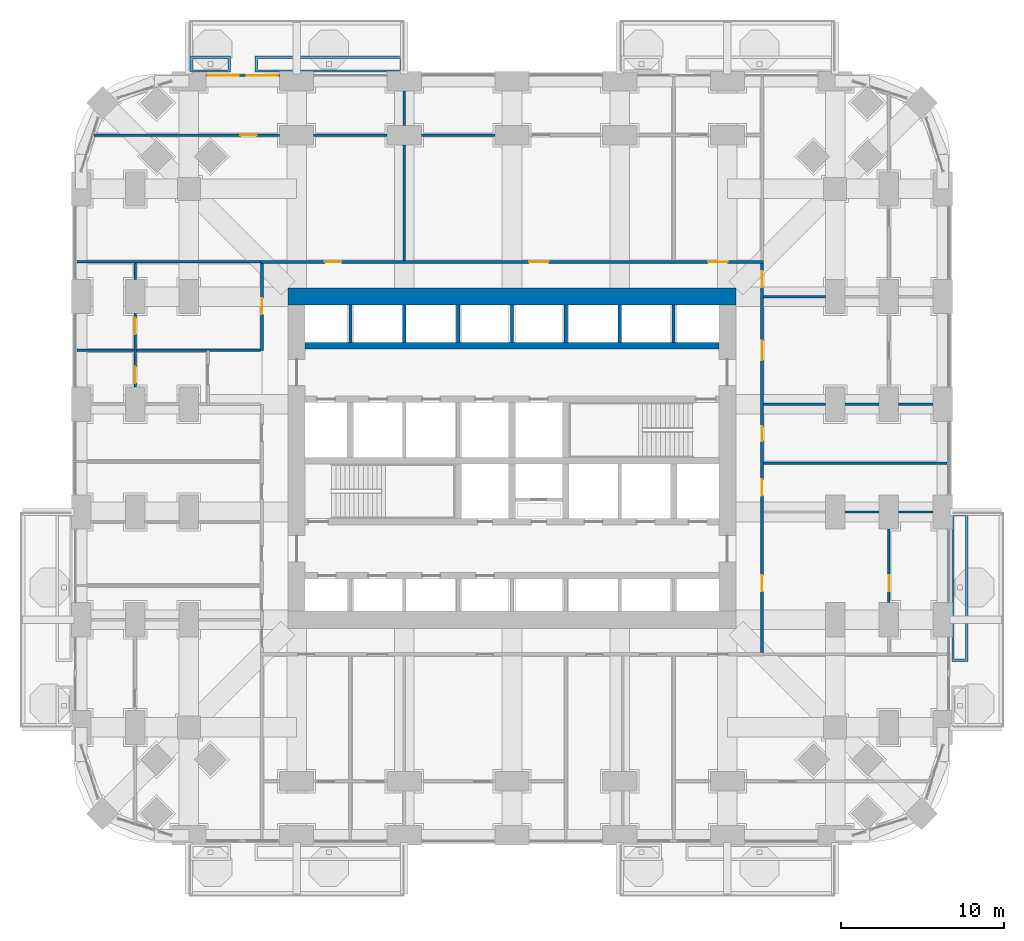
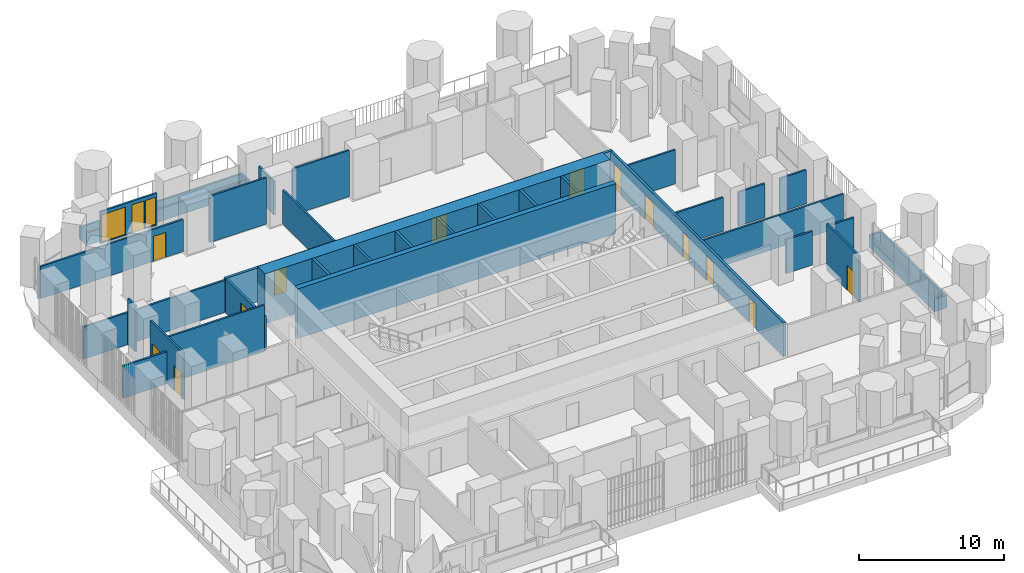
# One storey, part 21 of 27: 34 walls, 14 doors, 2 windows, 16 openings.
"""IFC4 building model written with IfcOpenShell, lengths in metres."""

from ifc_helpers import new_model, si_unit, direction, frame, frame_2d, origin, place, context, subcontext, project, spatial, polyline, rectangle, outline, extrude, material, layer, layer_set, type_object, element, fill, save


model = new_model("IFC4")

# Units and contexts
model_context = context("Model", 3, precision=1e-05, world=origin(), true_north=direction((0.0, 1.0)))
body_context = subcontext(model_context, "Body", "Model", "MODEL_VIEW")
ifc_project = project(units=[si_unit("LENGTHUNIT", "METRE"), si_unit("AREAUNIT", "SQUARE_METRE"), si_unit("VOLUMEUNIT", "CUBIC_METRE"), si_unit("PLANEANGLEUNIT", "RADIAN"), si_unit("MASSUNIT", "GRAM", prefix="KILO")], contexts=[model_context])

# Site, building, storey
site_placement = place(None, origin())
site = spatial("IfcSite", under=ifc_project, at=site_placement, CompositionType="ELEMENT")
building_placement = place(site_placement, origin())
building = spatial("IfcBuilding", under=site, at=building_placement, Name="Cobogo Forest Laboratory Tower", CompositionType="ELEMENT")
storey_placement = place(building_placement, frame((0.0, 0.0, 46.5)))
storey = spatial("IfcBuildingStorey", under=building, at=storey_placement, Name="L10", CompositionType="ELEMENT", Elevation=46.5)

# Walls
ifc_material_1 = material(Name="Concrete HA-50 (C50/60)", Category="concrete")
ifc_layer_1 = layer(ifc_material_1, 0.39990234375)
ifc_layer_set_1 = layer_set([ifc_layer_1], Name="CI400 core inner wall 400")
wall_type_1 = type_object("IfcWallType", Name="CI400 core inner wall 400", PredefinedType="SHEAR", material=ifc_layer_set_1)
wall_1_placement = place(storey_placement, frame((13.72509765625, 30.0, 0.0), z_axis=(0.0, 0.0, 1.0), x_axis=(1.0, 0.0, 0.0)))
element("IfcWall", 1, at=wall_1_placement, inside=storey, type_object=wall_type_1, Name="Core wall CI-30.0 L10", PredefinedType="SHEAR", context=body_context, shape_type="SweptSolid", body=[
    extrude(rectangle(XDim=25.349853515625, YDim=0.39990234375, at=frame_2d((12.6748046875, 0.0))), origin(), (0.0, 0.0, 1.0), 4.199951171875),
])
ifc_layer_2 = layer(ifc_material_1, 1.050048828125)
ifc_layer_set_2 = layer_set([ifc_layer_2], Name="CW1050 core outer wall 1050")
wall_type_2 = type_object("IfcWallType", Name="CW1050 core outer wall 1050", PredefinedType="SHEAR", material=ifc_layer_set_2)
wall_2_placement = place(storey_placement, frame((40.125, 33.0, 0.0), z_axis=(0.0, 0.0, 1.0), x_axis=(-1.0, 0.0, 0.0)))
element("IfcWall", 2, at=wall_2_placement, inside=storey, type_object=wall_type_2, Name="Core wall CO-N L10", PredefinedType="SHEAR", context=body_context, shape_type="SweptSolid", body=[
    extrude(rectangle(XDim=27.449951171875, YDim=1.050048828125, at=frame_2d((13.72509765625, 0.0))), origin(), (0.0, 0.0, 1.0), 4.199951171875),
])

# Wall, openings, door, windows
ifc_material_2 = material(Name="Aluminium framed glazed screen", Category="aluminium")
ifc_layer_3 = layer(ifc_material_2, 0.14990234375)
ifc_layer_set_3 = layer_set([ifc_layer_3], Name="GS1 glazed door screen 150")
wall_type_3 = type_object("IfcWallType", Name="GS1 glazed door screen 150", PredefinedType="SOLIDWALL", material=ifc_layer_set_3)
wall_3_placement = place(storey_placement, frame((12.14990234375, 46.550048828125, 0.0), z_axis=(0.0, 0.0, 1.0), x_axis=(-1.0, 0.0, 0.0)))
wall_3 = element("IfcWall", 3, at=wall_3_placement, inside=storey, type_object=wall_type_3, Name="Door screen BAL-N1 L10", PredefinedType="SOLIDWALL", context=body_context, shape_type="SweptSolid", body=[
    extrude(rectangle(XDim=4.5, YDim=0.14990234375, at=frame_2d((2.25, 0.0))), origin(), (0.0, 0.0, 1.0), 2.699951171875),
])
opening_1_placement = place(wall_3_placement, frame((1.0, 0.0, 0.0)))
opening_1 = element("IfcOpeningElement", 4, at=opening_1_placement, cuts=wall_3, Name="Opening L10-D48", PredefinedType="OPENING", context=body_context, shape_type="SweptSolid", body=[
    extrude(rectangle(XDim=1.0, YDim=2.39990234375, at=frame_2d((0.5, 1.199951171875))), frame((0.0, 0.0849609375, 0.0), z_axis=(0.0, -1.0, 0.0), x_axis=(1.0, 0.0, 0.0)), (0.0, 0.0, 1.0), 0.169921875),
])
opening_2_placement = place(wall_3_placement, frame((0.10009765625, 0.0, 0.10009765625)))
opening_2 = element("IfcOpeningElement", 5, at=opening_2_placement, cuts=wall_3, Name="Opening L10-W10", PredefinedType="OPENING", context=body_context, shape_type="SweptSolid", body=[
    extrude(rectangle(XDim=0.800048828125, YDim=2.300048828125, at=frame_2d((0.39990234375, 1.14990234375))), frame((0.0, 0.0849609375, 0.0), z_axis=(0.0, -1.0, 0.0), x_axis=(1.0, 0.0, 0.0)), (0.0, 0.0, 1.0), 0.169921875),
])
opening_3_placement = place(wall_3_placement, frame((2.5, 0.0, 0.10009765625)))
opening_3 = element("IfcOpeningElement", 6, at=opening_3_placement, cuts=wall_3, Name="Opening L10-W09", PredefinedType="OPENING", context=body_context, shape_type="SweptSolid", body=[
    extrude(rectangle(XDim=1.89990234375, YDim=2.300048828125, at=frame_2d((0.949951171875, 1.14990234375))), frame((0.0, 0.0849609375, 0.0), z_axis=(0.0, -1.0, 0.0), x_axis=(1.0, 0.0, 0.0)), (0.0, 0.0, 1.0), 0.169921875),
])
ifc_material_3 = material(Name="Aluminium glazed door", Category="aluminium")
door_type_1 = type_object("IfcDoorType", Name="DB1 balcony door 1000 glazed", OperationType="SINGLE_SWING_LEFT", PredefinedType="DOOR", material=ifc_material_3)
door_1_placement = place(opening_1_placement, origin())
door_1 = element("IfcDoor", 7, at=door_1_placement, inside=storey, type_object=door_type_1, Name="Door L10-BAL-N1", OperationType="SINGLE_SWING_LEFT", OverallHeight=2.39990234375, OverallWidth=1.0, PredefinedType="DOOR", context=body_context, shape_type="SweptSolid", body=[
    extrude(rectangle(XDim=1.0, YDim=2.39990234375, at=frame_2d((0.5, 1.199951171875))), frame((0.0, 0.02490234375, 0.0), z_axis=(0.0, -1.0, 0.0), x_axis=(1.0, 0.0, 0.0)), (0.0, 0.0, 1.0), 0.050048828125),
])
fill(opening_1, door_1)
ifc_material_4 = material(Name="Aluminium framed glazing", Category="aluminium")
window_type_1 = type_object("IfcWindowType", Name="WG3 fixed glazed light 1900x2300", PartitioningType="SINGLE_PANEL", PredefinedType="WINDOW", material=ifc_material_4)
window_1_placement = place(opening_3_placement, origin())
window_1 = element("IfcWindow", 8, at=window_1_placement, inside=storey, type_object=window_type_1, Name="Window L10-BAL-N1-2", OverallHeight=2.300048828125, OverallWidth=1.89990234375, PartitioningType="SINGLE_PANEL", PredefinedType="WINDOW", context=body_context, shape_type="SweptSolid", body=[
    extrude(rectangle(XDim=1.89990234375, YDim=2.300048828125, at=frame_2d((0.949951171875, 1.14990234375))), frame((0.0, 0.030029296875, 0.0), z_axis=(0.0, -1.0, 0.0), x_axis=(1.0, 0.0, 0.0)), (0.0, 0.0, 1.0), 0.06005859375),
])
fill(opening_3, window_1)
window_type_2 = type_object("IfcWindowType", Name="WG4 fixed glazed light 800x2300", PartitioningType="SINGLE_PANEL", PredefinedType="WINDOW", material=ifc_material_4)
window_2_placement = place(opening_2_placement, origin())
window_2 = element("IfcWindow", 9, at=window_2_placement, inside=storey, type_object=window_type_2, Name="Window L10-BAL-N1-1", OverallHeight=2.300048828125, OverallWidth=0.800048828125, PartitioningType="SINGLE_PANEL", PredefinedType="WINDOW", context=body_context, shape_type="SweptSolid", body=[
    extrude(rectangle(XDim=0.800048828125, YDim=2.300048828125, at=frame_2d((0.39990234375, 1.14990234375))), frame((0.0, 0.030029296875, 0.0), z_axis=(0.0, -1.0, 0.0), x_axis=(1.0, 0.0, 0.0)), (0.0, 0.0, 1.0), 0.06005859375),
])
fill(opening_2, window_2)

# Wall
ifc_material_5 = material(Name="Gypsum board on steel studs", Category="steel")
ifc_layer_4 = layer(ifc_material_5, 0.14990234375)
ifc_layer_set_4 = layer_set([ifc_layer_4], Name="PT1 laboratory partition 150")
wall_type_4 = type_object("IfcWallType", Name="PT1 laboratory partition 150", PredefinedType="PARTITIONING", material=ifc_layer_set_4)
wall_4_placement = place(storey_placement, frame((-0.27001953125, 35.125, 0.0), z_axis=(0.0, 0.0, 1.0), x_axis=(1.0, 0.0, 0.0)))
element("IfcWall", 10, at=wall_4_placement, inside=storey, type_object=wall_type_4, Name="Partition PW-NW L10", PredefinedType="PARTITIONING", context=body_context, shape_type="SweptSolid", body=[
    extrude(rectangle(XDim=11.2451171875, YDim=0.14990234375, at=frame_2d((5.62255859375, 0.0))), origin(), (0.0, 0.0, 1.0), 2.699951171875),
])

# Wall, opening, door
wall_5_placement = place(storey_placement, frame((49.5, 14.25, 0.0), z_axis=(0.0, 0.0, 1.0), x_axis=(0.0, 1.0, 0.0)))
wall_5 = element("IfcWall", 11, at=wall_5_placement, inside=storey, type_object=wall_type_4, Name="Partition STRIP-E-2 L10", PredefinedType="PARTITIONING", context=body_context, shape_type="SweptSolid", body=[
    extrude(rectangle(XDim=4.5, YDim=0.14990234375, at=frame_2d((2.25, 0.0))), origin(), (0.0, 0.0, 1.0), 3.89990234375),
])
opening_4_placement = place(wall_5_placement, frame((0.6875, 0.0, 0.0)))
opening_4 = element("IfcOpeningElement", 12, at=opening_4_placement, cuts=wall_5, Name="Opening L10-D19", PredefinedType="OPENING", context=body_context, shape_type="SweptSolid", body=[
    extrude(rectangle(XDim=1.0, YDim=2.10009765625, at=frame_2d((0.5, 1.050048828125))), frame((0.0, 0.0849609375, 0.0), z_axis=(0.0, -1.0, 0.0), x_axis=(1.0, 0.0, 0.0)), (0.0, 0.0, 1.0), 0.169921875),
])
ifc_material_6 = material(Name="Timber fire door", Category="wood")
door_type_2 = type_object("IfcDoorType", Name="FD2 fire door 1000 EI2 30", OperationType="SINGLE_SWING_LEFT", PredefinedType="DOOR", material=ifc_material_6)
door_2_placement = place(opening_4_placement, origin())
door_2 = element("IfcDoor", 13, at=door_2_placement, inside=storey, type_object=door_type_2, Name="Door L10-E1W", OperationType="SINGLE_SWING_LEFT", OverallHeight=2.10009765625, OverallWidth=1.0, PredefinedType="DOOR", context=body_context, shape_type="SweptSolid", body=[
    extrude(rectangle(XDim=1.0, YDim=2.10009765625, at=frame_2d((0.5, 1.050048828125))), frame((0.0, 0.02490234375, 0.0), z_axis=(0.0, -1.0, 0.0), x_axis=(1.0, 0.0, 0.0)), (0.0, 0.0, 1.0), 0.050048828125),
])
fill(opening_4, door_2)

# Walls
wall_6_placement = place(storey_placement, frame((53.070068359375, 22.800048828125, 0.0), z_axis=(0.0, 0.0, 1.0), x_axis=(-1.0, 0.0, 0.0)))
element("IfcWall", 14, at=wall_6_placement, inside=storey, type_object=wall_type_4, Name="Partition SVC-E1-1 L10", PredefinedType="PARTITIONING", context=body_context, shape_type="SweptSolid", body=[
    extrude(rectangle(XDim=11.2451171875, YDim=0.14990234375, at=frame_2d((5.62255859375, 0.0))), origin(), (0.0, 0.0, 1.0), 2.699951171875),
])
for number, where, z_axis, x_axis, name in (
    (15, (52.199951171875, 26.39990234375, 0.0), (0.0, 0.0, 1.0), (-1.0, 0.0, 0.0), "Partition SVC-E2-1 L10"),
    (16, (48.89990234375, 26.39990234375, 0.0), (0.0, 0.0, 1.0), (-1.0, 0.0, 0.0), "Partition SVC-E2-2 L10"),
):
    element("IfcWall", number, at=place(storey_placement, frame(where, z_axis=z_axis, x_axis=x_axis)), inside=storey, type_object=wall_type_4, Name=name, PredefinedType="PARTITIONING", context=body_context, shape_type="SweptSolid", body=[
        extrude(rectangle(XDim=2.099853515625, YDim=0.14990234375, at=frame_2d((1.0498046875, 0.0))), origin(), (0.0, 0.0, 1.0), 2.85009765625),
    ])
wall_7_placement = place(storey_placement, frame((45.60009765625, 26.39990234375, 0.0), z_axis=(0.0, 0.0, 1.0), x_axis=(-1.0, 0.0, 0.0)))
element("IfcWall", 17, at=wall_7_placement, inside=storey, type_object=wall_type_4, Name="Partition SVC-E2-3 L10", PredefinedType="PARTITIONING", context=body_context, shape_type="SweptSolid", body=[
    extrude(rectangle(XDim=3.775146484375, YDim=0.14990234375, at=frame_2d((1.8876953125, 0.0))), origin(), (0.0, 0.0, 1.0), 2.85009765625),
])
for number, where, z_axis, x_axis, name in (
    (18, (52.199951171875, 19.800048828125, 0.0), (0.0, 0.0, 1.0), (-1.0, 0.0, 0.0), "Partition CUT-E19.8-1 L10"),
    (19, (48.89990234375, 19.800048828125, 0.0), (0.0, 0.0, 1.0), (-1.0, 0.0, 0.0), "Partition CUT-E19.8-2 L10"),
):
    element("IfcWall", number, at=place(storey_placement, frame(where, z_axis=z_axis, x_axis=x_axis)), inside=storey, type_object=wall_type_4, Name=name, PredefinedType="PARTITIONING", context=body_context, shape_type="SweptSolid", body=[
        extrude(rectangle(XDim=2.099853515625, YDim=0.14990234375, at=frame_2d((1.0498046875, 0.0))), origin(), (0.0, 0.0, 1.0), 2.85009765625),
    ])
wall_8_placement = place(storey_placement, frame((45.60009765625, 33.0, 0.0), z_axis=(0.0, 0.0, 1.0), x_axis=(-1.0, 0.0, 0.0)))
element("IfcWall", 20, at=wall_8_placement, inside=storey, type_object=wall_type_4, Name="Partition CUT-E33-3 L10", PredefinedType="PARTITIONING", context=body_context, shape_type="SweptSolid", body=[
    extrude(rectangle(XDim=3.775146484375, YDim=0.14990234375, at=frame_2d((1.8876953125, 0.0))), origin(), (0.0, 0.0, 1.0), 2.85009765625),
])
for number, where, z_axis, x_axis, name in (
    (21, (25.35009765625, 42.89990234375, 0.0), (0.0, 0.0, 1.0), (-1.0, 0.0, 0.0), "Partition STRIP-N-4 L10"),
    (22, (18.75, 42.89990234375, 0.0), (0.0, 0.0, 1.0), (-1.0, 0.0, 0.0), "Partition STRIP-N-5 L10"),
):
    element("IfcWall", number, at=place(storey_placement, frame(where, z_axis=z_axis, x_axis=x_axis)), inside=storey, type_object=wall_type_4, Name=name, PredefinedType="PARTITIONING", context=body_context, shape_type="SweptSolid", body=[
        extrude(rectangle(XDim=4.5, YDim=0.14990234375, at=frame_2d((2.25, 0.0))), origin(), (0.0, 0.0, 1.0), 3.89990234375),
    ])

# Wall, opening, door
wall_9_placement = place(storey_placement, frame((12.14990234375, 42.89990234375, 0.0), z_axis=(0.0, 0.0, 1.0), x_axis=(-1.0, 0.0, 0.0)))
wall_9 = element("IfcWall", 23, at=wall_9_placement, inside=storey, type_object=wall_type_4, Name="Partition STRIP-N-6 L10", PredefinedType="PARTITIONING", context=body_context, shape_type="SweptSolid", body=[
    extrude(rectangle(XDim=11.373779296875, YDim=0.14990234375, at=frame_2d((5.68701171875, 0.0))), origin(), (0.0, 0.0, 1.0), 2.699951171875),
])
opening_5_placement = place(wall_9_placement, frame((1.39208984375, 0.0, 0.0)))
opening_5 = element("IfcOpeningElement", 24, at=opening_5_placement, cuts=wall_9, Name="Opening L10-D45", PredefinedType="OPENING", context=body_context, shape_type="SweptSolid", body=[
    extrude(rectangle(XDim=1.0, YDim=2.10009765625, at=frame_2d((0.5, 1.050048828125))), frame((0.0, 0.0849609375, 0.0), z_axis=(0.0, -1.0, 0.0), x_axis=(1.0, 0.0, 0.0)), (0.0, 0.0, 1.0), 0.169921875),
])
door_3_placement = place(opening_5_placement, origin())
door_3 = element("IfcDoor", 25, at=door_3_placement, inside=storey, type_object=door_type_2, Name="Door L10-N1W", OperationType="SINGLE_SWING_LEFT", OverallHeight=2.10009765625, OverallWidth=1.0, PredefinedType="DOOR", context=body_context, shape_type="SweptSolid", body=[
    extrude(rectangle(XDim=1.0, YDim=2.10009765625, at=frame_2d((0.5, 1.050048828125))), frame((0.0, 0.02490234375, 0.0), z_axis=(0.0, -1.0, 0.0), x_axis=(1.0, 0.0, 0.0)), (0.0, 0.0, 1.0), 0.050048828125),
])
fill(opening_5, door_3)

# Walls
wall_10_placement = place(storey_placement, frame((19.800048828125, 45.60009765625, 0.0), z_axis=(0.0, 0.0, 1.0), x_axis=(0.0, -1.0, 0.0)))
element("IfcWall", 26, at=wall_10_placement, inside=storey, type_object=wall_type_4, Name="Partition CUT-N19.8a-1 L10", PredefinedType="PARTITIONING", context=body_context, shape_type="SweptSolid", body=[
    extrude(rectangle(XDim=2.10009765625, YDim=0.14990234375, at=frame_2d((1.050048828125, 0.0))), origin(), (0.0, 0.0, 1.0), 2.85009765625),
])
wall_11_placement = place(storey_placement, frame((19.800048828125, 42.300048828125, 0.0), z_axis=(0.0, 0.0, 1.0), x_axis=(0.0, -1.0, 0.0)))
element("IfcWall", 27, at=wall_11_placement, inside=storey, type_object=wall_type_4, Name="Partition CUT-N19.8b-1 L10", PredefinedType="PARTITIONING", context=body_context, shape_type="SweptSolid", body=[
    extrude(rectangle(XDim=7.074951171875, YDim=0.14990234375, at=frame_2d((3.53759765625, 0.0))), origin(), (0.0, 0.0, 1.0), 2.85009765625),
])
wall_12_placement = place(storey_placement, frame((3.300048828125, 35.050048828125, 0.0), z_axis=(0.0, 0.0, 1.0), x_axis=(0.0, -1.0, 0.0)))
element("IfcWall", 28, at=wall_12_placement, inside=storey, type_object=wall_type_4, Name="Partition STRIP-W-1 L10", PredefinedType="PARTITIONING", context=body_context, shape_type="SweptSolid", body=[
    extrude(rectangle(XDim=1.0, YDim=0.14990234375, at=frame_2d((0.5, 0.0))), origin(), (0.0, 0.0, 1.0), 3.89990234375),
])

# Wall, openings, doors
wall_13_placement = place(storey_placement, frame((3.300048828125, 31.949951171875, 0.0), z_axis=(0.0, 0.0, 1.0), x_axis=(0.0, -1.0, 0.0)))
wall_13 = element("IfcWall", 29, at=wall_13_placement, inside=storey, type_object=wall_type_4, Name="Partition STRIP-W-2 L10", PredefinedType="PARTITIONING", context=body_context, shape_type="SweptSolid", body=[
    extrude(rectangle(XDim=4.5, YDim=0.14990234375, at=frame_2d((2.25, 0.0))), origin(), (0.0, 0.0, 1.0), 3.89990234375),
])
opening_6_placement = place(wall_13_placement, frame((3.25, 0.0, 0.0)))
opening_6 = element("IfcOpeningElement", 30, at=opening_6_placement, cuts=wall_13, Name="Opening L10-D32", PredefinedType="OPENING", context=body_context, shape_type="SweptSolid", body=[
    extrude(rectangle(XDim=1.0, YDim=2.10009765625, at=frame_2d((0.5, 1.050048828125))), frame((0.0, 0.0849609375, 0.0), z_axis=(0.0, -1.0, 0.0), x_axis=(1.0, 0.0, 0.0)), (0.0, 0.0, 1.0), 0.169921875),
])
opening_7_placement = place(wall_13_placement, frame((0.25, 0.0, 0.0)))
opening_7 = element("IfcOpeningElement", 31, at=opening_7_placement, cuts=wall_13, Name="Opening L10-D38", PredefinedType="OPENING", context=body_context, shape_type="SweptSolid", body=[
    extrude(rectangle(XDim=1.0, YDim=2.10009765625, at=frame_2d((0.5, 1.050048828125))), frame((0.0, 0.0849609375, 0.0), z_axis=(0.0, -1.0, 0.0), x_axis=(1.0, 0.0, 0.0)), (0.0, 0.0, 1.0), 0.169921875),
])
door_4_placement = place(opening_6_placement, origin())
door_4 = element("IfcDoor", 32, at=door_4_placement, inside=storey, type_object=door_type_2, Name="Door L10-W3W", OperationType="SINGLE_SWING_RIGHT", OverallHeight=2.10009765625, OverallWidth=1.0, PredefinedType="DOOR", context=body_context, shape_type="SweptSolid", body=[
    extrude(rectangle(XDim=1.0, YDim=2.10009765625, at=frame_2d((0.5, 1.050048828125))), frame((0.0, 0.02490234375, 0.0), z_axis=(0.0, -1.0, 0.0), x_axis=(1.0, 0.0, 0.0)), (0.0, 0.0, 1.0), 0.050048828125),
])
fill(opening_6, door_4)
door_5_placement = place(opening_7_placement, origin())
door_5 = element("IfcDoor", 33, at=door_5_placement, inside=storey, type_object=door_type_2, Name="Door L10-W4W", OperationType="SINGLE_SWING_LEFT", OverallHeight=2.10009765625, OverallWidth=1.0, PredefinedType="DOOR", context=body_context, shape_type="SweptSolid", body=[
    extrude(rectangle(XDim=1.0, YDim=2.10009765625, at=frame_2d((0.5, 1.050048828125))), frame((0.0, 0.02490234375, 0.0), z_axis=(0.0, -1.0, 0.0), x_axis=(1.0, 0.0, 0.0)), (0.0, 0.0, 1.0), 0.050048828125),
])
fill(opening_7, door_5)

# Walls
wall_14_placement = place(storey_placement, frame((-0.27001953125, 29.699951171875, 0.0), z_axis=(0.0, 0.0, 1.0), x_axis=(1.0, 0.0, 0.0)))
element("IfcWall", 34, at=wall_14_placement, inside=storey, type_object=wall_type_4, Name="Partition CUT-W29.7a-1 L10", PredefinedType="PARTITIONING", context=body_context, shape_type="SweptSolid", body=[
    extrude(rectangle(XDim=3.4951171875, YDim=0.14990234375, at=frame_2d((1.74755859375, 0.0))), origin(), (0.0, 0.0, 1.0), 2.699951171875),
])
wall_15_placement = place(storey_placement, frame((3.375, 29.699951171875, 0.0), z_axis=(0.0, 0.0, 1.0), x_axis=(1.0, 0.0, 0.0)))
element("IfcWall", 35, at=wall_15_placement, inside=storey, type_object=wall_type_4, Name="Partition CUT-W29.7b-1 L10", PredefinedType="PARTITIONING", context=body_context, shape_type="SweptSolid", body=[
    extrude(rectangle(XDim=7.60009765625, YDim=0.14990234375, at=frame_2d((3.800048828125, 0.0))), origin(), (0.0, 0.0, 1.0), 3.89990234375),
])

# Wall, openings, doors
ifc_layer_5 = layer(ifc_material_5, 0.199951171875)
ifc_layer_set_5 = layer_set([ifc_layer_5], Name="PT2 fire-rated corridor partition 200")
wall_type_5 = type_object("IfcWallType", Name="PT2 fire-rated corridor partition 200", PredefinedType="PARTITIONING", material=ifc_layer_set_5)
wall_16_placement = place(storey_placement, frame((10.97509765625, 35.125, 0.0), z_axis=(0.0, 0.0, 1.0), x_axis=(1.0, 0.0, 0.0)))
wall_16 = element("IfcWall", 36, at=wall_16_placement, inside=storey, type_object=wall_type_5, Name="Partition CORR-N L10", PredefinedType="PARTITIONING", context=body_context, shape_type="SweptSolid", body=[
    extrude(rectangle(XDim=30.849853515625, YDim=0.199951171875, at=frame_2d((15.4248046875, 0.0))), origin(), (0.0, 0.0, 1.0), 2.85009765625),
])
opening_8_placement = place(wall_16_placement, frame((3.96240234375, 0.0, 0.0)))
opening_8 = element("IfcOpeningElement", 37, at=opening_8_placement, cuts=wall_16, Name="Opening L10-D41", PredefinedType="OPENING", context=body_context, shape_type="SweptSolid", body=[
    extrude(rectangle(XDim=1.0, YDim=2.10009765625, at=frame_2d((0.5, 1.050048828125))), frame((0.0, 0.10986328125, 0.0), z_axis=(0.0, -1.0, 0.0), x_axis=(1.0, 0.0, 0.0)), (0.0, 0.0, 1.0), 0.219970703125),
])
opening_9_placement = place(wall_16_placement, frame((16.47509765625, 0.0, 0.0)))
opening_9 = element("IfcOpeningElement", 38, at=opening_9_placement, cuts=wall_16, Name="Opening L10-D42", PredefinedType="OPENING", context=body_context, shape_type="SweptSolid", body=[
    extrude(rectangle(XDim=1.199951171875, YDim=2.10009765625, at=frame_2d((0.60009765625, 1.050048828125))), frame((0.0, 0.10986328125, 0.0), z_axis=(0.0, -1.0, 0.0), x_axis=(1.0, 0.0, 0.0)), (0.0, 0.0, 1.0), 0.219970703125),
])
opening_10_placement = place(wall_16_placement, frame((27.4375, 0.0, 0.0)))
opening_10 = element("IfcOpeningElement", 39, at=opening_10_placement, cuts=wall_16, Name="Opening L10-D43", PredefinedType="OPENING", context=body_context, shape_type="SweptSolid", body=[
    extrude(rectangle(XDim=1.199951171875, YDim=2.10009765625, at=frame_2d((0.60009765625, 1.050048828125))), frame((0.0, 0.10986328125, 0.0), z_axis=(0.0, -1.0, 0.0), x_axis=(1.0, 0.0, 0.0)), (0.0, 0.0, 1.0), 0.219970703125),
])
ifc_material_7 = material(Name="Timber door", Category="wood")
door_type_3 = type_object("IfcDoorType", Name="D2 laboratory door 1200 unequal pair", OperationType="DOUBLE_DOOR_SINGLE_SWING", PredefinedType="DOOR", material=ifc_material_7)
door_6_placement = place(opening_9_placement, origin())
door_6 = element("IfcDoor", 40, at=door_6_placement, inside=storey, type_object=door_type_3, Name="Door L10-N2", OperationType="DOUBLE_DOOR_SINGLE_SWING", OverallHeight=2.10009765625, OverallWidth=1.199951171875, PredefinedType="DOOR", context=body_context, shape_type="SweptSolid", body=[
    extrude(rectangle(XDim=1.199951171875, YDim=2.10009765625, at=frame_2d((0.60009765625, 1.050048828125))), frame((0.0, 0.02490234375, 0.0), z_axis=(0.0, -1.0, 0.0), x_axis=(1.0, 0.0, 0.0)), (0.0, 0.0, 1.0), 0.050048828125),
])
fill(opening_9, door_6)
door_7_placement = place(opening_10_placement, origin())
door_7 = element("IfcDoor", 41, at=door_7_placement, inside=storey, type_object=door_type_3, Name="Door L10-N3", OperationType="DOUBLE_DOOR_SINGLE_SWING", OverallHeight=2.10009765625, OverallWidth=1.199951171875, PredefinedType="DOOR", context=body_context, shape_type="SweptSolid", body=[
    extrude(rectangle(XDim=1.199951171875, YDim=2.10009765625, at=frame_2d((0.60009765625, 1.050048828125))), frame((0.0, 0.02490234375, 0.0), z_axis=(0.0, -1.0, 0.0), x_axis=(1.0, 0.0, 0.0)), (0.0, 0.0, 1.0), 0.050048828125),
])
fill(opening_10, door_7)
door_8_placement = place(opening_8_placement, origin())
door_8 = element("IfcDoor", 42, at=door_8_placement, inside=storey, type_object=door_type_2, Name="Door L10-N1", OperationType="SINGLE_SWING_LEFT", OverallHeight=2.10009765625, OverallWidth=1.0, PredefinedType="DOOR", context=body_context, shape_type="SweptSolid", body=[
    extrude(rectangle(XDim=1.0, YDim=2.10009765625, at=frame_2d((0.5, 1.050048828125))), frame((0.0, 0.02490234375, 0.0), z_axis=(0.0, -1.0, 0.0), x_axis=(1.0, 0.0, 0.0)), (0.0, 0.0, 1.0), 0.050048828125),
])
fill(opening_8, door_8)

# Wall, opening, door
wall_17_placement = place(storey_placement, frame((11.074951171875, 29.699951171875, 0.0), z_axis=(0.0, 0.0, 1.0), x_axis=(0.0, 1.0, 0.0)))
wall_17 = element("IfcWall", 43, at=wall_17_placement, inside=storey, type_object=wall_type_5, Name="Partition CORR-W-2 L10", PredefinedType="PARTITIONING", context=body_context, shape_type="SweptSolid", body=[
    extrude(rectangle(XDim=5.324951171875, YDim=0.199951171875, at=frame_2d((2.66259765625, 0.0))), origin(), (0.0, 0.0, 1.0), 2.85009765625),
])
opening_11_placement = place(wall_17_placement, frame((2.21240234375, 0.0, 0.0)))
opening_11 = element("IfcOpeningElement", 44, at=opening_11_placement, cuts=wall_17, Name="Opening L10-D39", PredefinedType="OPENING", context=body_context, shape_type="SweptSolid", body=[
    extrude(rectangle(XDim=1.0, YDim=2.10009765625, at=frame_2d((0.5, 1.050048828125))), frame((0.0, 0.10986328125, 0.0), z_axis=(0.0, -1.0, 0.0), x_axis=(1.0, 0.0, 0.0)), (0.0, 0.0, 1.0), 0.219970703125),
])
door_9_placement = place(opening_11_placement, origin())
door_9 = element("IfcDoor", 45, at=door_9_placement, inside=storey, type_object=door_type_2, Name="Door L10-W4", OperationType="SINGLE_SWING_RIGHT", OverallHeight=2.10009765625, OverallWidth=1.0, PredefinedType="DOOR", context=body_context, shape_type="SweptSolid", body=[
    extrude(rectangle(XDim=1.0, YDim=2.10009765625, at=frame_2d((0.5, 1.050048828125))), frame((0.0, 0.02490234375, 0.0), z_axis=(0.0, -1.0, 0.0), x_axis=(1.0, 0.0, 0.0)), (0.0, 0.0, 1.0), 0.050048828125),
])
fill(opening_11, door_9)

# Wall, openings, doors
wall_18_placement = place(storey_placement, frame((41.72509765625, 11.175048828125, 0.0), z_axis=(0.0, 0.0, 1.0), x_axis=(0.0, 1.0, 0.0)))
wall_18 = element("IfcWall", 46, at=wall_18_placement, inside=storey, type_object=wall_type_5, Name="Partition CORR-E L10", PredefinedType="PARTITIONING", context=body_context, shape_type="SweptSolid", body=[
    extrude(rectangle(XDim=23.849853515625, YDim=0.199951171875, at=frame_2d((11.9248046875, 0.0))), origin(), (0.0, 0.0, 1.0), 2.85009765625),
])
opening_12_placement = place(wall_18_placement, frame((3.762451171875, 0.0, 0.0)))
opening_12 = element("IfcOpeningElement", 47, at=opening_12_placement, cuts=wall_18, Name="Opening L10-D18", PredefinedType="OPENING", context=body_context, shape_type="SweptSolid", body=[
    extrude(rectangle(XDim=1.0, YDim=2.10009765625, at=frame_2d((0.5, 1.050048828125))), frame((0.0, 0.10986328125, 0.0), z_axis=(0.0, -1.0, 0.0), x_axis=(1.0, 0.0, 0.0)), (0.0, 0.0, 1.0), 0.219970703125),
])
opening_13_placement = place(wall_18_placement, frame((9.625, 0.0, 0.0)))
opening_13 = element("IfcOpeningElement", 48, at=opening_13_placement, cuts=wall_18, Name="Opening L10-D28", PredefinedType="OPENING", context=body_context, shape_type="SweptSolid", body=[
    extrude(rectangle(XDim=1.0, YDim=2.10009765625, at=frame_2d((0.5, 1.050048828125))), frame((0.0, 0.10986328125, 0.0), z_axis=(0.0, -1.0, 0.0), x_axis=(1.0, 0.0, 0.0)), (0.0, 0.0, 1.0), 0.219970703125),
])
opening_14_placement = place(wall_18_placement, frame((12.97509765625, 0.0, 0.0)))
opening_14 = element("IfcOpeningElement", 49, at=opening_14_placement, cuts=wall_18, Name="Opening L10-D29", PredefinedType="OPENING", context=body_context, shape_type="SweptSolid", body=[
    extrude(rectangle(XDim=0.89990234375, YDim=2.10009765625, at=frame_2d((0.449951171875, 1.050048828125))), frame((0.0, 0.10986328125, 0.0), z_axis=(0.0, -1.0, 0.0), x_axis=(1.0, 0.0, 0.0)), (0.0, 0.0, 1.0), 0.219970703125),
])
opening_15_placement = place(wall_18_placement, frame((17.925048828125, 0.0, 0.0)))
opening_15 = element("IfcOpeningElement", 50, at=opening_15_placement, cuts=wall_18, Name="Opening L10-D36", PredefinedType="OPENING", context=body_context, shape_type="SweptSolid", body=[
    extrude(rectangle(XDim=1.199951171875, YDim=2.10009765625, at=frame_2d((0.60009765625, 1.050048828125))), frame((0.0, 0.10986328125, 0.0), z_axis=(0.0, -1.0, 0.0), x_axis=(1.0, 0.0, 0.0)), (0.0, 0.0, 1.0), 0.219970703125),
])
opening_16_placement = place(wall_18_placement, frame((22.387451171875, 0.0, 0.0)))
opening_16 = element("IfcOpeningElement", 51, at=opening_16_placement, cuts=wall_18, Name="Opening L10-D40", PredefinedType="OPENING", context=body_context, shape_type="SweptSolid", body=[
    extrude(rectangle(XDim=1.0, YDim=2.10009765625, at=frame_2d((0.5, 1.050048828125))), frame((0.0, 0.10986328125, 0.0), z_axis=(0.0, -1.0, 0.0), x_axis=(1.0, 0.0, 0.0)), (0.0, 0.0, 1.0), 0.219970703125),
])
door_10_placement = place(opening_15_placement, origin())
door_10 = element("IfcDoor", 52, at=door_10_placement, inside=storey, type_object=door_type_3, Name="Door L10-E2", OperationType="DOUBLE_DOOR_SINGLE_SWING", OverallHeight=2.10009765625, OverallWidth=1.199951171875, PredefinedType="DOOR", context=body_context, shape_type="SweptSolid", body=[
    extrude(rectangle(XDim=1.199951171875, YDim=2.10009765625, at=frame_2d((0.60009765625, 1.050048828125))), frame((0.0, 0.02490234375, 0.0), z_axis=(0.0, -1.0, 0.0), x_axis=(1.0, 0.0, 0.0)), (0.0, 0.0, 1.0), 0.050048828125),
])
fill(opening_15, door_10)
ifc_material_8 = material(Name="Steel fire door", Category="steel")
door_type_4 = type_object("IfcDoorType", Name="FD1 fire door 1000 EI2 60", OperationType="SINGLE_SWING_LEFT", PredefinedType="DOOR", material=ifc_material_8)
door_11_placement = place(opening_12_placement, origin())
door_11 = element("IfcDoor", 53, at=door_11_placement, inside=storey, type_object=door_type_4, Name="Door L10-E1", OperationType="SINGLE_SWING_LEFT", OverallHeight=2.10009765625, OverallWidth=1.0, PredefinedType="DOOR", context=body_context, shape_type="SweptSolid", body=[
    extrude(rectangle(XDim=1.0, YDim=2.10009765625, at=frame_2d((0.5, 1.050048828125))), frame((0.0, 0.02490234375, 0.0), z_axis=(0.0, -1.0, 0.0), x_axis=(1.0, 0.0, 0.0)), (0.0, 0.0, 1.0), 0.050048828125),
])
fill(opening_12, door_11)
door_12_placement = place(opening_13_placement, origin())
door_12 = element("IfcDoor", 54, at=door_12_placement, inside=storey, type_object=door_type_4, Name="Door L10-ELEC", OperationType="SINGLE_SWING_LEFT", OverallHeight=2.10009765625, OverallWidth=1.0, PredefinedType="DOOR", context=body_context, shape_type="SweptSolid", body=[
    extrude(rectangle(XDim=1.0, YDim=2.10009765625, at=frame_2d((0.5, 1.050048828125))), frame((0.0, 0.02490234375, 0.0), z_axis=(0.0, -1.0, 0.0), x_axis=(1.0, 0.0, 0.0)), (0.0, 0.0, 1.0), 0.050048828125),
])
fill(opening_13, door_12)
door_13_placement = place(opening_16_placement, origin())
door_13 = element("IfcDoor", 55, at=door_13_placement, inside=storey, type_object=door_type_2, Name="Door L10-E3", OperationType="SINGLE_SWING_RIGHT", OverallHeight=2.10009765625, OverallWidth=1.0, PredefinedType="DOOR", context=body_context, shape_type="SweptSolid", body=[
    extrude(rectangle(XDim=1.0, YDim=2.10009765625, at=frame_2d((0.5, 1.050048828125))), frame((0.0, 0.02490234375, 0.0), z_axis=(0.0, -1.0, 0.0), x_axis=(1.0, 0.0, 0.0)), (0.0, 0.0, 1.0), 0.050048828125),
])
fill(opening_16, door_13)
door_type_5 = type_object("IfcDoorType", Name="FD4 riser access door 900 EI2 60", OperationType="SINGLE_SWING_LEFT", PredefinedType="DOOR", material=ifc_material_8)
door_14_placement = place(opening_14_placement, origin())
door_14 = element("IfcDoor", 56, at=door_14_placement, inside=storey, type_object=door_type_5, Name="Door L10-COMMS", OperationType="SINGLE_SWING_RIGHT", OverallHeight=2.10009765625, OverallWidth=0.89990234375, PredefinedType="DOOR", context=body_context, shape_type="SweptSolid", body=[
    extrude(rectangle(XDim=0.89990234375, YDim=2.10009765625, at=frame_2d((0.449951171875, 1.050048828125))), frame((0.0, 0.02490234375, 0.0), z_axis=(0.0, -1.0, 0.0), x_axis=(1.0, 0.0, 0.0)), (0.0, 0.0, 1.0), 0.050048828125),
])
fill(opening_14, door_14)

# Walls
ifc_material_9 = material(Name="Concrete HA-40 (C40/50)", Category="concrete")
ifc_layer_6 = layer(ifc_material_9, 0.14990234375)
ifc_layer_set_6 = layer_set([ifc_layer_6], Name="Planter box 1000x1050")
wall_type_6 = type_object("IfcWallType", Name="Planter box 1000x1050", PredefinedType="USERDEFINED", material=ifc_layer_set_6)
wall_19_placement = place(storey_placement, origin())
element("IfcWall", 57, at=wall_19_placement, inside=storey, type_object=wall_type_6, Name="Planter BAL-E1-2 L10", ObjectType="PLANTER", PredefinedType="USERDEFINED", context=body_context, shape_type="SweptSolid", body=[
    extrude(outline(polyline([(53.35009765625, 10.64990234375), (54.35009765625, 10.64990234375), (54.35009765625, 19.699951171875), (53.35009765625, 19.699951171875), (53.35009765625, 10.64990234375)]), holes=[polyline([(53.5, 10.800048828125), (54.199951171875, 10.800048828125), (54.199951171875, 19.550048828125), (53.5, 19.550048828125), (53.5, 10.800048828125)])]), origin(), (0.0, 0.0, 1.0), 1.050048828125),
])
wall_20_placement = place(storey_placement, origin())
element("IfcWall", 58, at=wall_20_placement, inside=storey, type_object=wall_type_6, Name="Planter BAL-N1-1 L10", ObjectType="PLANTER", PredefinedType="USERDEFINED", context=body_context, shape_type="SweptSolid", body=[
    extrude(outline(polyline([(6.699951171875, 46.75), (9.14990234375, 46.75), (9.14990234375, 47.75), (6.699951171875, 47.75), (6.699951171875, 46.75)]), holes=[polyline([(6.85009765625, 46.89990234375), (9.0, 46.89990234375), (9.0, 47.60009765625), (6.85009765625, 47.60009765625), (6.85009765625, 46.89990234375)])]), origin(), (0.0, 0.0, 1.0), 1.050048828125),
])
wall_21_placement = place(storey_placement, origin())
element("IfcWall", 59, at=wall_21_placement, inside=storey, type_object=wall_type_6, Name="Planter BAL-N1-2 L10", ObjectType="PLANTER", PredefinedType="USERDEFINED", context=body_context, shape_type="SweptSolid", body=[
    extrude(outline(polyline([(10.64990234375, 46.75), (19.699951171875, 46.75), (19.699951171875, 47.75), (10.64990234375, 47.75), (10.64990234375, 46.75)]), holes=[polyline([(10.800048828125, 46.89990234375), (19.550048828125, 46.89990234375), (19.550048828125, 47.60009765625), (10.800048828125, 47.60009765625), (10.800048828125, 46.89990234375)])]), origin(), (0.0, 0.0, 1.0), 1.050048828125),
])
ifc_material_10 = material(Name="Concrete block", Category="concrete")
ifc_layer_7 = layer(ifc_material_10, 0.199951171875)
ifc_layer_set_7 = layer_set([ifc_layer_7], Name="SW200 lift shaft separator 200")
wall_type_7 = type_object("IfcWallType", Name="SW200 lift shaft separator 200", PredefinedType="PARTITIONING", material=ifc_layer_set_7)
for number, where, z_axis, x_axis, name in (
    (60, (16.5, 30.199951171875, 0.0), (0.0, 0.0, 1.0), (0.0, 1.0, 0.0), "Core wall SEP-N1 L10"),
    (61, (19.800048828125, 30.199951171875, 0.0), (0.0, 0.0, 1.0), (0.0, 1.0, 0.0), "Core wall SEP-N2 L10"),
    (62, (23.10009765625, 30.199951171875, 0.0), (0.0, 0.0, 1.0), (0.0, 1.0, 0.0), "Core wall SEP-N3 L10"),
    (63, (26.39990234375, 30.199951171875, 0.0), (0.0, 0.0, 1.0), (0.0, 1.0, 0.0), "Core wall SEP-N4 L10"),
    (64, (29.699951171875, 30.199951171875, 0.0), (0.0, 0.0, 1.0), (0.0, 1.0, 0.0), "Core wall SEP-N5 L10"),
    (65, (33.0, 30.199951171875, 0.0), (0.0, 0.0, 1.0), (0.0, 1.0, 0.0), "Core wall SEP-N6 L10"),
    (66, (36.300048828125, 30.199951171875, 0.0), (0.0, 0.0, 1.0), (0.0, 1.0, 0.0), "Core wall SEP-N7 L10"),
):
    element("IfcWall", number, at=place(storey_placement, frame(where, z_axis=z_axis, x_axis=x_axis)), inside=storey, type_object=wall_type_7, Name=name, PredefinedType="PARTITIONING", context=body_context, shape_type="SweptSolid", body=[
        extrude(rectangle(XDim=2.275146484375, YDim=0.199951171875, at=frame_2d((1.1376953125, 0.0))), origin(), (0.0, 0.0, 1.0), 4.199951171875),
    ])

save(model, "model.ifc")
